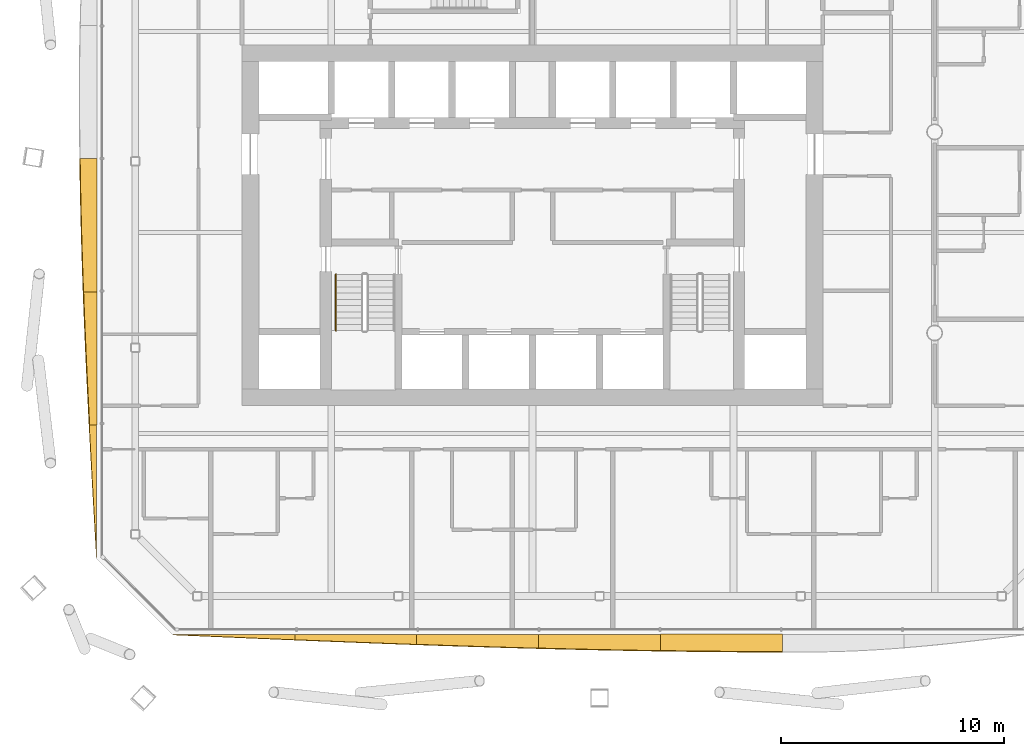
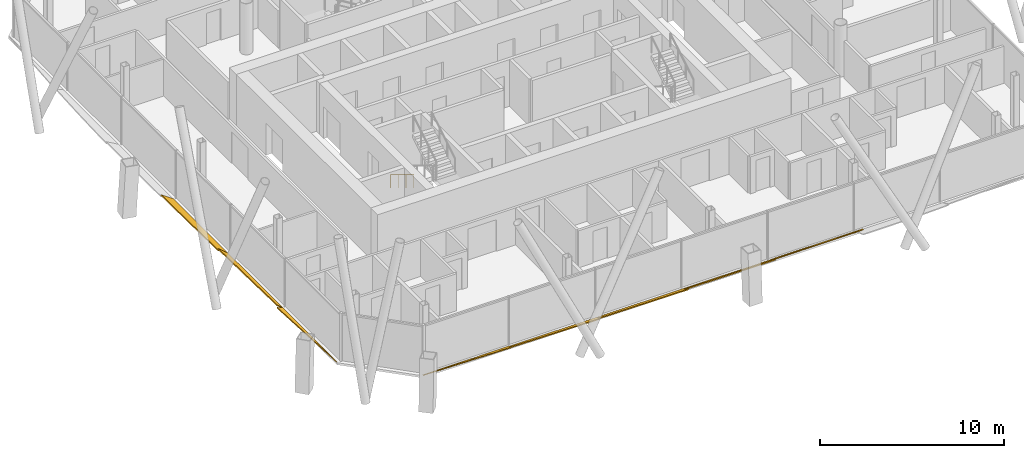
# One storey, part 19 of 23: 8 shading devices, 1 railing.
"""IFC4 building model written with IfcOpenShell, lengths in metres."""

from ifc_helpers import new_model, si_unit, direction, frame, origin, origin_2d, place, context, subcontext, project, spatial, polyline, circle, outline, extrude, material, layer, layer_set, type_object, element, save


model = new_model("IFC4")

# Units and contexts
model_context = context("Model", 3, precision=1e-05, world=origin(), true_north=direction((0.0, 1.0)))
body_context = subcontext(model_context, "Body", "Model", "MODEL_VIEW")
ifc_project = project(units=[si_unit("LENGTHUNIT", "METRE"), si_unit("AREAUNIT", "SQUARE_METRE"), si_unit("VOLUMEUNIT", "CUBIC_METRE"), si_unit("PLANEANGLEUNIT", "RADIAN"), si_unit("MASSUNIT", "GRAM", prefix="KILO")], contexts=[model_context])

# Site, building, storey
site_placement = place(None, origin())
site = spatial("IfcSite", under=ifc_project, at=site_placement, CompositionType="ELEMENT")
building_placement = place(site_placement, origin())
building = spatial("IfcBuilding", under=site, at=building_placement, Name="Tskaro Facet Tower", CompositionType="ELEMENT")
storey_placement = place(building_placement, frame((0.0, 0.0, 141.89990234375)))
storey = spatial("IfcBuildingStorey", under=building, at=storey_placement, Name="L34", CompositionType="ELEMENT", Elevation=141.89990234375)

# Shading devices
ifc_material_1 = material(Name="Bronze anodised aluminium 6063-T6", Category="aluminium")
ifc_layer = layer(ifc_material_1, 0.06005859375, Name="Bronze anodised aluminium 6063-T6")
ifc_layer_set = layer_set([ifc_layer], Name="Bronze anodised aluminium 6063-T6")
shading_device_type = type_object("IfcShadingDeviceType", Name="Bronze sun blade (FN1)", PredefinedType="USERDEFINED", material=ifc_layer_set)
shading_device_1_placement = place(storey_placement, frame((-16.0869140625, -22.50146484375, 0.056396484375), z_axis=(5.873805e-06, 0.342578225824, 0.939489307633), x_axis=(0.999999999983, -2.012238e-06, -5.518377e-06)))
element("IfcShadingDevice", 1, at=shading_device_1_placement, inside=storey, type_object=shading_device_type, Name="Fin blade south 1", ObjectType="FIN", PredefinedType="USERDEFINED", context=body_context, shape_type="SweptSolid", body=[
    extrude(outline(polyline([(0.0, 0.0), (5.453369140530925, -2.3095916678246224e-21), (5.453369140719761, -0.24737999639771643), (4.77172851532924, -0.21726060060373037), (4.09008789079471, -0.18682820004082848), (3.408203125143914, -0.15616643197117627), (2.7265624996268465, -0.1252752963947738), (2.044921874965769, -0.0940711560494555), (1.3632812498134232, -0.0626376481973869), (0.681640625152346, -0.031433507852068596), (0.0, 0.0)])), origin(), (0.0, 0.0, -1.0), 0.06005859375),
])
shading_device_2_placement = place(storey_placement, frame((-10.633544921875, -22.49658203125, 0.054443359375), z_axis=(3.169796e-06, 0.422507597896, 0.906359382204), x_axis=(0.999999999995, -1.339263e-06, -2.872974e-06)))
element("IfcShadingDevice", 2, at=shading_device_2_placement, inside=storey, type_object=shading_device_type, Name="Fin blade south 2", ObjectType="FIN", PredefinedType="USERDEFINED", context=body_context, shape_type="SweptSolid", body=[
    extrude(outline(polyline([(0.0, 0.0), (5.453369140597603, 0.0), (5.453369140605272, -0.4894333332259623), (4.771728515176697, -0.4625604602464169), (4.090087890871445, -0.4347142960216757), (3.408447265585289, -0.40620429435879335), (2.7268066406735736, -0.37736986228084557), (2.044921874857364, -0.34776844149573843), (1.363281250040594, -0.317842590295566), (0.681640625271297, -0.28737102953428123), (-1.5193699830338977e-10, -0.25645691048090224), (0.0, 0.0)])), origin(), (0.0, 0.0, -1.0), 0.06005859375),
])
shading_device_3_placement = place(storey_placement, frame((-5.18017578125, -22.491943359375, 0.052001953125), z_axis=(-7.325309e-06, 0.500047929569, 0.865997729835), x_axis=(0.999999999973, 3.663006e-06, 6.343701e-06)))
element("IfcShadingDevice", 3, at=shading_device_3_placement, inside=storey, type_object=shading_device_type, Name="Fin blade south 3", ObjectType="FIN", PredefinedType="USERDEFINED", context=body_context, shape_type="SweptSolid", body=[
    extrude(outline(polyline([(0.0, 0.0), (5.453369140478686, 2.3095916678246224e-21), (5.453369140790066, -0.7093310375995164), (4.771728515629054, -0.6878911117277187), (4.090087890053397, -0.6655727461467555), (3.408447264957382, -0.642164515629611), (2.7268066409954788, -0.6179999274173594), (2.045166015070176, -0.5928348174818844), (1.363281250548278, -0.5667019246242861), (0.6816406253424402, -0.5399020172845389), (-2.780423898458463e-10, -0.5122236702356263), (0.0, 0.0)])), origin(), (0.0, 0.0, -1.0), 0.06005859375),
])
shading_device_4_placement = place(storey_placement, frame((0.273193359375, -22.487548828125, 0.04931640625), z_axis=(1.750947e-05, 0.573464822838, 0.819230185394), x_axis=(0.999999999847, -1.0041065e-05, -1.4344286e-05)))
element("IfcShadingDevice", 4, at=shading_device_4_placement, inside=storey, type_object=shading_device_type, Name="Fin blade south 4", ObjectType="FIN", PredefinedType="USERDEFINED", context=body_context, shape_type="SweptSolid", body=[
    extrude(outline(polyline([(0.0, 0.0), (5.453613280414012, 0.0), (5.453613281161557, -0.889834671356645), (4.771728516340793, -0.8766941592293089), (4.090087890393901, -0.8621335920735611), (3.4084472651473514, -0.8463529772589127), (2.726806640601143, -0.8293523147853636), (2.0451660132532536, -0.8112716107131991), (1.363525390107728, -0.7918308529218492), (0.6818847666119529, -0.7715100609013952), (-2.7618982602075246e-09, -0.7499092199128137), (0.0, 0.0)])), origin(), (0.0, 0.0, -1.0), 0.06005859375),
])
shading_device_5_placement = place(storey_placement, frame((5.726806640625, -22.4833984375, 0.046142578125), z_axis=(-1.2204739e-05, 0.642752284349, 0.766074083112), x_axis=(0.999999999926, 7.844624e-06, 9.349734e-06)))
element("IfcShadingDevice", 5, at=shading_device_5_placement, inside=storey, type_object=shading_device_type, Name="Fin blade south 5", ObjectType="FIN", PredefinedType="USERDEFINED", context=body_context, shape_type="SweptSolid", body=[
    extrude(outline(polyline([(0.0, 0.0), (5.453369140218845, -9.23836667129849e-21), (5.453369141122743, -1.0144543843627152), (4.771728515149033, -1.011515740558103), (4.090087889988139, -1.0073582116983477), (3.4082031246476197, -1.0016378460335558), (2.726562500377439, -0.9943546435637272), (2.044921874637424, -0.9856956340943228), (1.3632812497102247, -0.9758177395697757), (0.6816406252283823, -0.9643770082401919), (-7.232942879444634e-10, -0.9515604699110323), (0.0, 0.0)])), origin(), (0.0, 0.0, -1.0), 0.06005859375),
])
shading_device_6_placement = place(storey_placement, frame((-19.487548828125, -1.195556640625, 0.04931640625), z_axis=(0.57348055695, 7.755119e-06, 0.81921917137), x_axis=(4.44741e-06, -0.99999999997, 6.353142e-06)))
element("IfcShadingDevice", 6, at=shading_device_6_placement, inside=storey, type_object=shading_device_type, Name="Fin blade west 4", ObjectType="FIN", PredefinedType="USERDEFINED", context=body_context, shape_type="SweptSolid", body=[
    extrude(outline(polyline([(0.0, 0.0), (5.963867187320662, 2.52579600043067e-21), (5.963867188124288, -0.7367687099115913), (5.218261718460524, -0.7688699580275986), (4.472900390352798, -0.7986711191914591), (3.7272949220858624, -0.825832178821053), (2.9819335938239053, -0.8505531415968968), (2.236328124316943, -0.8728340075189905), (1.4909667969865472, -0.8922747672263014), (0.7453613279458788, -0.9089354154977425), (-4.016420312316442e-12, -0.9229559622349173), (0.0, 0.0)])), origin(), (0.0, 0.0, -1.0), 0.06005859375),
])
shading_device_7_placement = place(storey_placement, frame((-19.4833984375, -7.159423828125, 0.046142578125), z_axis=(0.642625266958, -1.5585084e-05, 0.766180635375), x_axis=(-1.0015369e-05, -0.999999999879, -1.194099e-05)))
element("IfcShadingDevice", 7, at=shading_device_7_placement, inside=storey, type_object=shading_device_type, Name="Fin blade west 5", ObjectType="FIN", PredefinedType="USERDEFINED", context=body_context, shape_type="SweptSolid", body=[
    extrude(outline(polyline([(0.0, 0.0), (5.963623046150733, 0.0), (5.963623046830377, -0.4361902091097901), (5.218261717868721, -0.48626757605737464), (4.472900390787553, -0.5349691559907945), (3.7272949225167453, -0.5821078930908438), (2.9819335947763617, -0.6273398406039811), (2.236328123401179, -0.6708218894645415), (1.4909667959418227, -0.711896311050314), (0.745361327762949, -0.7510639430491746), (-1.8605373695929075e-09, -0.7877937828883761), (0.0, 0.0)])), origin(), (0.0, 0.0, -1.0), 0.06005859375),
])
shading_device_8_placement = place(storey_placement, frame((-19.50146484375, -13.123046875, 0.056396484375), z_axis=(0.342515517059, 4.2098e-05, 0.939512170651), x_axis=(1.4419218e-05, -0.999999999114, 3.9551583e-05)))
element("IfcShadingDevice", 8, at=shading_device_8_placement, inside=storey, type_object=shading_device_type, Name="Fin blade west 6", ObjectType="FIN", PredefinedType="USERDEFINED", context=body_context, shape_type="SweptSolid", body=[
    extrude(outline(polyline([(0.0, 0.0), (5.963867182215294, -2.020636800344536e-20), (5.218505859304311, -0.04603446361844882), (4.472900389632715, -0.09175593219567539), (3.7275390641062174, -0.1372480276841609), (2.9819335918191063, -0.18242712813142414), (2.236572261061581, -0.22683448735998293), (1.4909667905840744, -0.2704701053698373), (0.7456054677719858, -0.31364697720220946), (-1.0552063736231526e-08, -0.3556554908221738), (0.0, 0.0)])), origin(), (0.0, 0.0, -1.0), 0.06005859375),
])

# Railing
ifc_material_2 = material(Name="Stainless steel", Category="steel")
railing_type = type_object("IfcRailingType", Name="RL-HANDRAIL-900", PredefinedType="HANDRAIL", material=ifc_material_2)
railing_placement = place(storey_placement, frame((-8.800048828125, -6.375, 0.170166015625)))
element("IfcRailing", 9, at=railing_placement, inside=storey, type_object=railing_type, Name="L34 ST-1 stair handrail 1", PredefinedType="HANDRAIL", context=body_context, shape_type="SweptSolid", body=[
    extrude(circle(Radius=0.02392578125, at=origin_2d()), frame((0.0, 0.0, 0.8759765625), z_axis=(0.0, -0.85478489116, 0.518982456201), x_axis=(1.0, 0.0, 0.0)), (0.0, 0.0, 1.0), 2.9482421875),
    extrude(circle(Radius=0.02099609375, at=origin_2d()), origin(), (0.0, 0.0, 1.0), 0.851806640625),
    extrude(circle(Radius=0.02099609375, at=origin_2d()), frame((0.0, -0.840087890625, 0.510009765625)), (0.0, 0.0, 1.0), 0.851806640625),
    extrude(circle(Radius=0.02099609375, at=origin_2d()), frame((0.0, -1.679931640625, 1.02001953125)), (0.0, 0.0, 1.0), 0.851806640625),
    extrude(circle(Radius=0.02099609375, at=origin_2d()), frame((0.0, -2.52001953125, 1.530029296875)), (0.0, 0.0, 1.0), 0.851806640625),
])

save(model, "model.ifc")
